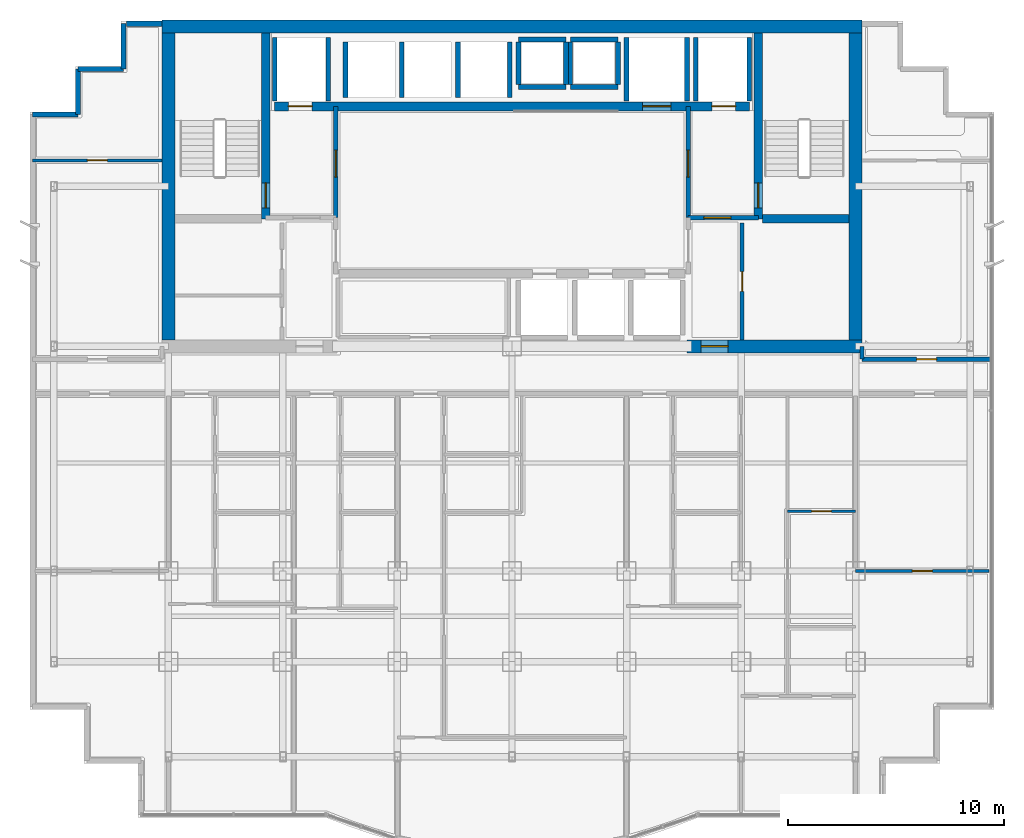
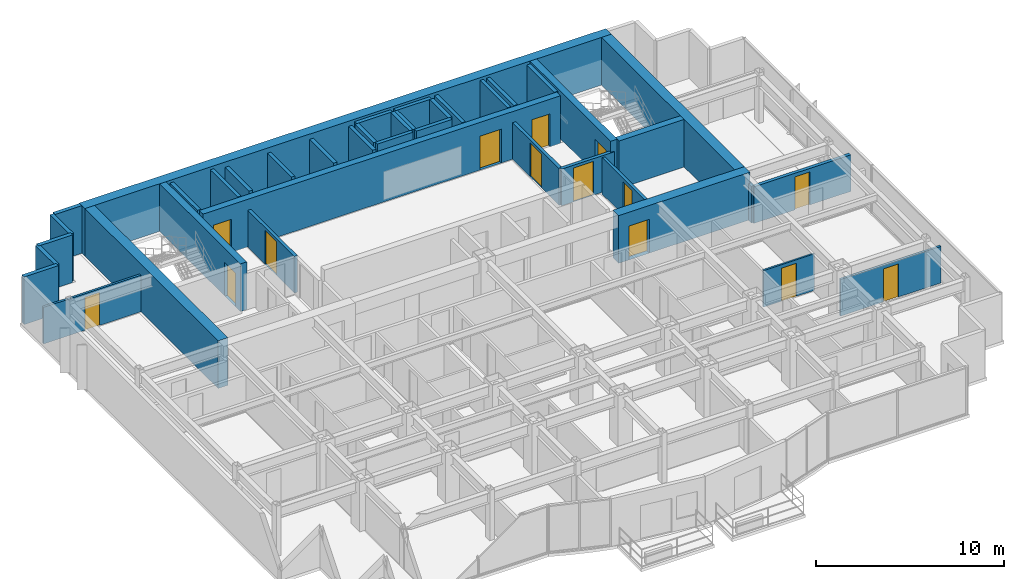
# One storey, part 10 of 13: 40 walls, 14 doors, 14 openings.
"""IFC4 building model written with IfcOpenShell, lengths in metres."""

from ifc_helpers import new_model, si_unit, direction, frame, frame_2d, origin, place, context, subcontext, project, spatial, rectangle, extrude, material, layer, layer_set, type_object, element, fill, save


model = new_model("IFC4")

# Units and contexts
model_context = context("Model", 3, precision=1e-05, world=origin(), true_north=direction((0.0, 1.0)))
body_context = subcontext(model_context, "Body", "Model", "MODEL_VIEW")
ifc_project = project(units=[si_unit("LENGTHUNIT", "METRE"), si_unit("AREAUNIT", "SQUARE_METRE"), si_unit("VOLUMEUNIT", "CUBIC_METRE"), si_unit("PLANEANGLEUNIT", "RADIAN"), si_unit("MASSUNIT", "GRAM", prefix="KILO")], contexts=[model_context])

# Site, building, storey
site_placement = place(None, origin())
site = spatial("IfcSite", under=ifc_project, at=site_placement, CompositionType="ELEMENT")
building_placement = place(site_placement, origin())
building = spatial("IfcBuilding", under=site, at=building_placement, Name="Qianlan Lanfeng Residences", CompositionType="ELEMENT")
storey_placement = place(building_placement, frame((0.0, 0.0, 142.5)))
storey = spatial("IfcBuildingStorey", under=building, at=storey_placement, Name="L38", CompositionType="ELEMENT", Elevation=142.5)

# Wall, opening, door
ifc_material_1 = material(Name="Concrete C56", Category="concrete")
ifc_layer_1 = layer(ifc_material_1, 0.39990234375)
ifc_layer_set_1 = layer_set([ifc_layer_1], Name="Concrete C56")
wall_type_1 = type_object("IfcWallType", Name="CW-RC-400", PredefinedType="SHEAR", material=ifc_layer_set_1)
wall_1_placement = place(storey_placement, frame((15.10009765625, 31.10009765625, 0.0), z_axis=(0.0, 0.0, 1.0), x_axis=(0.0, 1.0, 0.0)))
wall_1 = element("IfcWall", 1, at=wall_1_placement, inside=storey, type_object=wall_type_1, Name="L38 Core Shear Wall ST1E", PredefinedType="SHEAR", context=body_context, shape_type="SweptSolid", body=[
    extrude(rectangle(XDim=8.599853515625, YDim=0.39990234375, at=frame_2d((4.2998046875, 0.0))), origin(), (0.0, 0.0, 1.0), 3.10009765625),
])
opening_1_placement = place(wall_1_placement, frame((0.510009765625, 0.0, 0.0)))
opening_1 = element("IfcOpeningElement", 2, at=opening_1_placement, cuts=wall_1, Name="Opening L38-D07", PredefinedType="OPENING", context=body_context, shape_type="SweptSolid", body=[
    extrude(rectangle(XDim=1.14990234375, YDim=2.199951171875, at=frame_2d((0.574951171875, 1.10009765625))), frame((0.0, 0.2099609375, 0.0), z_axis=(0.0, -1.0, 0.0), x_axis=(1.0, 0.0, 0.0)), (0.0, 0.0, 1.0), 0.419921875),
])
ifc_material_2 = material(Name="Painted Galvanised Steel Fire Door", Category="steel")
door_type_1 = type_object("IfcDoorType", Name="DT-ST1", OperationType="NOTDEFINED", PredefinedType="DOOR", material=ifc_material_2)
door_1_placement = place(opening_1_placement, frame((1.14990234375, 0.0, 0.0), z_axis=(0.0, 0.0, 1.0), x_axis=(-1.0, 0.0, 0.0)))
door_1 = element("IfcDoor", 3, at=door_1_placement, inside=storey, type_object=door_type_1, Name="L38 Exit Stair ST-1 Door L38-D07 (DT-ST1)", OperationType="SINGLE_SWING_RIGHT", OverallHeight=2.199951171875, OverallWidth=1.14990234375, PredefinedType="DOOR", context=body_context, shape_type="SweptSolid", body=[
    extrude(rectangle(XDim=1.14990234375, YDim=2.199951171875, at=frame_2d((0.574951171875, 1.10009765625))), frame((0.0, 0.02490234375, 0.0), z_axis=(0.0, -1.0, 0.0), x_axis=(1.0, 0.0, 0.0)), (0.0, 0.0, 1.0), 0.050048828125),
])
fill(opening_1, door_1)

wall_2_placement = place(storey_placement, frame((37.89990234375, 31.10009765625, 0.0), z_axis=(0.0, 0.0, 1.0), x_axis=(0.0, 1.0, 0.0)))
wall_2 = element("IfcWall", 4, at=wall_2_placement, inside=storey, type_object=wall_type_1, Name="L38 Core Shear Wall ST2W", PredefinedType="SHEAR", context=body_context, shape_type="SweptSolid", body=[
    extrude(rectangle(XDim=8.599853515625, YDim=0.39990234375, at=frame_2d((4.2998046875, 0.0))), origin(), (0.0, 0.0, 1.0), 3.10009765625),
])
opening_2_placement = place(wall_2_placement, frame((0.510009765625, 0.0, 0.0)))
opening_2 = element("IfcOpeningElement", 5, at=opening_2_placement, cuts=wall_2, Name="Opening L38-D08", PredefinedType="OPENING", context=body_context, shape_type="SweptSolid", body=[
    extrude(rectangle(XDim=1.14990234375, YDim=2.199951171875, at=frame_2d((0.574951171875, 1.10009765625))), frame((0.0, 0.2099609375, 0.0), z_axis=(0.0, -1.0, 0.0), x_axis=(1.0, 0.0, 0.0)), (0.0, 0.0, 1.0), 0.419921875),
])
door_2_placement = place(opening_2_placement, origin())
door_2 = element("IfcDoor", 6, at=door_2_placement, inside=storey, type_object=door_type_1, Name="L38 Exit Stair ST-2 Door L38-D08 (DT-ST1)", OperationType="SINGLE_SWING_RIGHT", OverallHeight=2.199951171875, OverallWidth=1.14990234375, PredefinedType="DOOR", context=body_context, shape_type="SweptSolid", body=[
    extrude(rectangle(XDim=1.14990234375, YDim=2.199951171875, at=frame_2d((0.574951171875, 1.10009765625))), frame((0.0, 0.02490234375, 0.0), z_axis=(0.0, -1.0, 0.0), x_axis=(1.0, 0.0, 0.0)), (0.0, 0.0, 1.0), 0.050048828125),
])
fill(opening_2, door_2)

# Wall
wall_3_placement = place(storey_placement, frame((38.10009765625, 31.10009765625, 0.0), z_axis=(0.0, 0.0, 1.0), x_axis=(1.0, 0.0, 0.0)))
element("IfcWall", 7, at=wall_3_placement, inside=storey, type_object=wall_type_1, Name="L38 Core Shear Wall ST2S", PredefinedType="SHEAR", context=body_context, shape_type="SweptSolid", body=[
    extrude(rectangle(XDim=4.0, YDim=0.39990234375, at=frame_2d((2.0, 0.0))), origin(), (0.0, 0.0, 1.0), 3.10009765625),
])

# Wall, openings, doors
wall_4_placement = place(storey_placement, frame((15.5, 36.300048828125, 0.0), z_axis=(0.0, 0.0, 1.0), x_axis=(1.0, 0.0, 0.0)))
wall_4 = element("IfcWall", 8, at=wall_4_placement, inside=storey, type_object=wall_type_1, Name="L38 Core Shear Wall LBN", PredefinedType="SHEAR", context=body_context, shape_type="SweptSolid", body=[
    extrude(rectangle(XDim=22.0, YDim=0.39990234375, at=frame_2d((11.0, 0.0))), origin(), (0.0, 0.0, 1.0), 3.10009765625),
])
opening_3_placement = place(wall_4_placement, frame((0.64990234375, 0.0, 0.0)))
opening_3 = element("IfcOpeningElement", 9, at=opening_3_placement, cuts=wall_4, Name="Opening L38-LD-FFL-1", PredefinedType="OPENING", context=body_context, shape_type="SweptSolid", body=[
    extrude(rectangle(XDim=1.10009765625, YDim=2.14990234375, at=frame_2d((0.550048828125, 1.074951171875))), frame((0.0, 0.2099609375, 0.0), z_axis=(0.0, -1.0, 0.0), x_axis=(1.0, 0.0, 0.0)), (0.0, 0.0, 1.0), 0.419921875),
])
opening_4_placement = place(wall_4_placement, frame((20.25, 0.0, 0.0)))
opening_4 = element("IfcOpeningElement", 10, at=opening_4_placement, cuts=wall_4, Name="Opening L38-LD-FFL-2", PredefinedType="OPENING", context=body_context, shape_type="SweptSolid", body=[
    extrude(rectangle(XDim=1.10009765625, YDim=2.14990234375, at=frame_2d((0.550048828125, 1.074951171875))), frame((0.0, 0.2099609375, 0.0), z_axis=(0.0, -1.0, 0.0), x_axis=(1.0, 0.0, 0.0)), (0.0, 0.0, 1.0), 0.419921875),
])
opening_5_placement = place(wall_4_placement, frame((17.050048828125, 0.0, 0.0)))
opening_5 = element("IfcOpeningElement", 11, at=opening_5_placement, cuts=wall_4, Name="Opening L38-LD-SVL-1", PredefinedType="OPENING", context=body_context, shape_type="SweptSolid", body=[
    extrude(rectangle(XDim=1.300048828125, YDim=2.199951171875, at=frame_2d((0.64990234375, 1.10009765625))), frame((0.0, 0.2099609375, 0.0), z_axis=(0.0, -1.0, 0.0), x_axis=(1.0, 0.0, 0.0)), (0.0, 0.0, 1.0), 0.419921875),
])
ifc_material_3 = material(Name="Brushed Stainless Steel Sliding Lift Door", Category="steel")
door_type_2 = type_object("IfcDoorType", Name="LD-01", OperationType="NOTDEFINED", PredefinedType="DOOR", material=ifc_material_3)
door_3_placement = place(opening_3_placement, frame((1.10009765625, 0.0, 0.0), z_axis=(0.0, 0.0, 1.0), x_axis=(-1.0, 0.0, 0.0)))
door_3 = element("IfcDoor", 12, at=door_3_placement, inside=storey, type_object=door_type_2, Name="L38 Elevator FFL-1 Sliding Landing Door", OperationType="DOUBLE_DOOR_SLIDING", OverallHeight=2.14990234375, OverallWidth=1.10009765625, PredefinedType="DOOR", context=body_context, shape_type="SweptSolid", body=[
    extrude(rectangle(XDim=1.10009765625, YDim=2.14990234375, at=frame_2d((0.550048828125, 1.074951171875))), frame((0.0, 0.02490234375, 0.0), z_axis=(0.0, -1.0, 0.0), x_axis=(1.0, 0.0, 0.0)), (0.0, 0.0, 1.0), 0.050048828125),
])
fill(opening_3, door_3)
door_4_placement = place(opening_4_placement, frame((1.10009765625, 0.0, 0.0), z_axis=(0.0, 0.0, 1.0), x_axis=(-1.0, 0.0, 0.0)))
door_4 = element("IfcDoor", 13, at=door_4_placement, inside=storey, type_object=door_type_2, Name="L38 Elevator FFL-2 Sliding Landing Door", OperationType="DOUBLE_DOOR_SLIDING", OverallHeight=2.14990234375, OverallWidth=1.10009765625, PredefinedType="DOOR", context=body_context, shape_type="SweptSolid", body=[
    extrude(rectangle(XDim=1.10009765625, YDim=2.14990234375, at=frame_2d((0.550048828125, 1.074951171875))), frame((0.0, 0.02490234375, 0.0), z_axis=(0.0, -1.0, 0.0), x_axis=(1.0, 0.0, 0.0)), (0.0, 0.0, 1.0), 0.050048828125),
])
fill(opening_4, door_4)
door_type_3 = type_object("IfcDoorType", Name="LD-02", OperationType="NOTDEFINED", PredefinedType="DOOR", material=ifc_material_3)
door_5_placement = place(opening_5_placement, frame((1.300048828125, 0.0, 0.0), z_axis=(0.0, 0.0, 1.0), x_axis=(-1.0, 0.0, 0.0)))
door_5 = element("IfcDoor", 14, at=door_5_placement, inside=storey, type_object=door_type_3, Name="L38 Elevator SVL-1 Sliding Landing Door", OperationType="DOUBLE_DOOR_SLIDING", OverallHeight=2.199951171875, OverallWidth=1.300048828125, PredefinedType="DOOR", context=body_context, shape_type="SweptSolid", body=[
    extrude(rectangle(XDim=1.300048828125, YDim=2.199951171875, at=frame_2d((0.64990234375, 1.10009765625))), frame((0.0, 0.02490234375, 0.0), z_axis=(0.0, -1.0, 0.0), x_axis=(1.0, 0.0, 0.0)), (0.0, 0.0, 1.0), 0.050048828125),
])
fill(opening_5, door_5)

# Walls
ifc_layer_2 = layer(ifc_material_1, 0.60009765625)
ifc_layer_set_2 = layer_set([ifc_layer_2], Name="Concrete C56")
wall_type_2 = type_object("IfcWallType", Name="CW-RC-600", PredefinedType="SHEAR", material=ifc_layer_set_2)
wall_5_placement = place(storey_placement, frame((10.300048828125, 40.0, 0.0), z_axis=(0.0, 0.0, 1.0), x_axis=(1.0, 0.0, 0.0)))
element("IfcWall", 15, at=wall_5_placement, inside=storey, type_object=wall_type_2, Name="L38 Core Shear Wall N", PredefinedType="SHEAR", context=body_context, shape_type="SweptSolid", body=[
    extrude(rectangle(XDim=32.39990234375, YDim=0.60009765625, at=frame_2d((16.199951171875, 0.0))), origin(), (0.0, 0.0, 1.0), 3.10009765625),
])
for number, where, z_axis, x_axis, name in (
    (16, (10.60009765625, 25.5, 0.0), (0.0, 0.0, 1.0), (0.0, 1.0, 0.0), "L38 Core Shear Wall W"),
    (17, (42.39990234375, 25.5, 0.0), (0.0, 0.0, 1.0), (0.0, 1.0, 0.0), "L38 Core Shear Wall E"),
):
    element("IfcWall", number, at=place(storey_placement, frame(where, z_axis=z_axis, x_axis=x_axis)), inside=storey, type_object=wall_type_2, Name=name, PredefinedType="SHEAR", context=body_context, shape_type="SweptSolid", body=[
        extrude(rectangle(XDim=14.199951171875, YDim=0.60009765625, at=frame_2d((7.10009765625, 0.0))), origin(), (0.0, 0.0, 1.0), 3.10009765625),
    ])

# Wall, opening, door
wall_6_placement = place(storey_placement, frame((34.60009765625, 25.199951171875, 0.0), z_axis=(0.0, 0.0, 1.0), x_axis=(1.0, 0.0, 0.0)))
wall_6 = element("IfcWall", 18, at=wall_6_placement, inside=storey, type_object=wall_type_2, Name="L38 Core Shear Wall SE", PredefinedType="SHEAR", context=body_context, shape_type="SweptSolid", body=[
    extrude(rectangle(XDim=8.099853515625, YDim=0.60009765625, at=frame_2d((4.0498046875, 0.0))), origin(), (0.0, 0.0, 1.0), 3.10009765625),
])
opening_6_placement = place(wall_6_placement, frame((0.64990234375, 0.0, 0.0)))
opening_6 = element("IfcOpeningElement", 19, at=opening_6_placement, cuts=wall_6, Name="Opening L38-D02", PredefinedType="OPENING", context=body_context, shape_type="SweptSolid", body=[
    extrude(rectangle(XDim=1.25, YDim=2.199951171875, at=frame_2d((0.625, 1.10009765625))), frame((0.0, 0.31005859375, 0.0), z_axis=(0.0, -1.0, 0.0), x_axis=(1.0, 0.0, 0.0)), (0.0, 0.0, 1.0), 0.6201171875),
])
door_type_4 = type_object("IfcDoorType", Name="DT-FFL", OperationType="NOTDEFINED", PredefinedType="DOOR", material=ifc_material_2)
door_6_placement = place(opening_6_placement, frame((1.25, 0.0, 0.0), z_axis=(0.0, 0.0, 1.0), x_axis=(-1.0, 0.0, 0.0)))
door_6 = element("IfcDoor", 20, at=door_6_placement, inside=storey, type_object=door_type_4, Name="L38 East Core Lobby Smoke Door L38-D02 (DT-FFL)", OperationType="SINGLE_SWING_LEFT", OverallHeight=2.199951171875, OverallWidth=1.25, PredefinedType="DOOR", context=body_context, shape_type="SweptSolid", body=[
    extrude(rectangle(XDim=1.25, YDim=2.199951171875, at=frame_2d((0.625, 1.10009765625))), frame((0.0, 0.02490234375, 0.0), z_axis=(0.0, -1.0, 0.0), x_axis=(1.0, 0.0, 0.0)), (0.0, 0.0, 1.0), 0.050048828125),
])
fill(opening_6, door_6)

# Walls
ifc_material_4 = material(Name="Concrete C42", Category="concrete")
ifc_layer_3 = layer(ifc_material_4, 0.239990234375)
ifc_layer_set_3 = layer_set([ifc_layer_3], Name="Concrete C42")
wall_type_3 = type_object("IfcWallType", Name="EW-240", PredefinedType="SOLIDWALL", material=ifc_layer_set_3)
wall_7_placement = place(storey_placement, frame((10.300048828125, 40.1298828125, 0.0), z_axis=(0.0, 0.0, 1.0), x_axis=(-1.0, 0.0, 0.0)))
element("IfcWall", 21, at=wall_7_placement, inside=storey, type_object=wall_type_3, Name="L38 North Wing Exterior Wall W", PredefinedType="SOLIDWALL", context=body_context, shape_type="SweptSolid", body=[
    extrude(rectangle(XDim=1.650146484375, YDim=0.239990234375, at=frame_2d((0.8251953125, 0.0))), origin(), (0.0, 0.0, 1.0), 3.10009765625),
])
wall_8_placement = place(storey_placement, frame((8.52001953125, 40.1298828125, 0.0), z_axis=(0.0, 0.0, 1.0), x_axis=(0.0, -1.0, 0.0)))
element("IfcWall", 22, at=wall_8_placement, inside=storey, type_object=wall_type_3, Name="L38 Exterior Facade Spandrel Wall 17", PredefinedType="SOLIDWALL", context=body_context, shape_type="SweptSolid", body=[
    extrude(rectangle(XDim=2.099853515625, YDim=0.239990234375, at=frame_2d((1.0498046875, 0.0))), origin(), (0.0, 0.0, 1.0), 3.10009765625),
])
for number, where, z_axis, x_axis, name in (
    (23, (8.52001953125, 38.030029296875, 0.0), (0.0, 0.0, 1.0), (-1.0, 0.0, 0.0), "L38 Exterior Facade Spandrel Wall 18"),
    (24, (6.419921875, 38.030029296875, 0.0), (0.0, 0.0, 1.0), (0.0, -1.0, 0.0), "L38 Exterior Facade Spandrel Wall 19"),
):
    element("IfcWall", number, at=place(storey_placement, frame(where, z_axis=z_axis, x_axis=x_axis)), inside=storey, type_object=wall_type_3, Name=name, PredefinedType="SOLIDWALL", context=body_context, shape_type="SweptSolid", body=[
        extrude(rectangle(XDim=2.10009765625, YDim=0.239990234375, at=frame_2d((1.050048828125, 0.0))), origin(), (0.0, 0.0, 1.0), 3.10009765625),
    ])
wall_9_placement = place(storey_placement, frame((6.419921875, 35.929931640625, 0.0), z_axis=(0.0, 0.0, 1.0), x_axis=(-1.0, 0.0, 0.0)))
element("IfcWall", 25, at=wall_9_placement, inside=storey, type_object=wall_type_3, Name="L38 Exterior Facade Spandrel Wall 20", PredefinedType="SOLIDWALL", context=body_context, shape_type="SweptSolid", body=[
    extrude(rectangle(XDim=2.099853515625, YDim=0.239990234375, at=frame_2d((1.0498046875, 0.0))), origin(), (0.0, 0.0, 1.0), 3.10009765625),
])

# Wall, opening, door
ifc_material_5 = material(Name="Demountable Acoustic Framing Partition 110 mm")
ifc_layer_4 = layer(ifc_material_5, 0.110107421875)
ifc_layer_set_4 = layer_set([ifc_layer_4], Name="Demountable Acoustic Framing Partition 110 mm")
wall_type_4 = type_object("IfcWallType", Name="PW-110", PredefinedType="MOVABLE", material=ifc_layer_set_4)
wall_10_placement = place(storey_placement, frame((39.25, 17.56005859375, 0.0), z_axis=(0.0, 0.0, 1.0), x_axis=(1.0, 0.0, 0.0)))
wall_10 = element("IfcWall", 26, at=wall_10_placement, inside=storey, type_object=wall_type_4, Name="L38 U04 Wardrobe Split", PredefinedType="MOVABLE", context=body_context, shape_type="SweptSolid", body=[
    extrude(rectangle(XDim=3.14990234375, YDim=0.110107421875, at=frame_2d((1.574951171875, 0.0))), origin(), (0.0, 0.0, 1.0), 2.3798828125),
])
opening_7_placement = place(wall_10_placement, frame((1.114990234375, 0.0, 0.0)))
opening_7 = element("IfcOpeningElement", 27, at=opening_7_placement, cuts=wall_10, Name="Opening L38-D39", PredefinedType="OPENING", context=body_context, shape_type="SweptSolid", body=[
    extrude(rectangle(XDim=0.919921875, YDim=2.14990234375, at=frame_2d((0.4599609375, 1.074951171875))), frame((0.0, 0.06494140625, 0.0), z_axis=(0.0, -1.0, 0.0), x_axis=(1.0, 0.0, 0.0)), (0.0, 0.0, 1.0), 0.130126953125),
])
ifc_material_6 = material(Name="Glazed Timber Kitchen/Study Door", Category="wood")
door_type_5 = type_object("IfcDoorType", Name="DT-INT", OperationType="NOTDEFINED", PredefinedType="DOOR", material=ifc_material_6)
door_7_placement = place(opening_7_placement, origin())
door_7 = element("IfcDoor", 28, at=door_7_placement, inside=storey, type_object=door_type_5, Name="L38 U04 Dressing Inner Door L38-D39 (DT-INT)", OperationType="SINGLE_SWING_RIGHT", OverallHeight=2.14990234375, OverallWidth=0.919921875, PredefinedType="DOOR", context=body_context, shape_type="SweptSolid", body=[
    extrude(rectangle(XDim=0.919921875, YDim=2.14990234375, at=frame_2d((0.4599609375, 1.074951171875))), frame((0.0, 0.02490234375, 0.0), z_axis=(0.0, -1.0, 0.0), x_axis=(1.0, 0.0, 0.0)), (0.0, 0.0, 1.0), 0.050048828125),
])
fill(opening_7, door_7)

ifc_material_7 = material(Name="Moisture-Resistant Gypsum Partition 135 mm")
ifc_layer_5 = layer(ifc_material_7, 0.135009765625)
ifc_layer_set_5 = layer_set([ifc_layer_5], Name="Moisture-Resistant Gypsum Partition 135 mm")
wall_type_5 = type_object("IfcWallType", Name="PW-135", PredefinedType="PARTITIONING", material=ifc_layer_set_5)
wall_11_placement = place(storey_placement, frame((42.39990234375, 14.800048828125, 0.0), z_axis=(0.0, 0.0, 1.0), x_axis=(1.0, 0.0, 0.0)))
wall_11 = element("IfcWall", 29, at=wall_11_placement, inside=storey, type_object=wall_type_5, Name="L38 SEP Mid Partition", PredefinedType="PARTITIONING", context=body_context, shape_type="SweptSolid", body=[
    extrude(rectangle(XDim=6.18017578125, YDim=0.135009765625, at=frame_2d((3.090087890625, 0.0))), origin(), (0.0, 0.0, 1.0), 2.3798828125),
])
opening_8_placement = place(wall_11_placement, frame((2.6298828125, 0.0, 0.0)))
opening_8 = element("IfcOpeningElement", 30, at=opening_8_placement, cuts=wall_11, Name="Opening L38-D42", PredefinedType="OPENING", context=body_context, shape_type="SweptSolid", body=[
    extrude(rectangle(XDim=0.919921875, YDim=2.14990234375, at=frame_2d((0.4599609375, 1.074951171875))), frame((0.0, 0.07763671875, 0.0), z_axis=(0.0, -1.0, 0.0), x_axis=(1.0, 0.0, 0.0)), (0.0, 0.0, 1.0), 0.155029296875),
])
door_8_placement = place(opening_8_placement, origin())
door_8 = element("IfcDoor", 31, at=door_8_placement, inside=storey, type_object=door_type_5, Name="L38 SEP Inner Door L38-D42 (DT-INT)", OperationType="SINGLE_SWING_LEFT", OverallHeight=2.14990234375, OverallWidth=0.919921875, PredefinedType="DOOR", context=body_context, shape_type="SweptSolid", body=[
    extrude(rectangle(XDim=0.919921875, YDim=2.14990234375, at=frame_2d((0.4599609375, 1.074951171875))), frame((0.0, 0.02490234375, 0.0), z_axis=(0.0, -1.0, 0.0), x_axis=(1.0, 0.0, 0.0)), (0.0, 0.0, 1.0), 0.050048828125),
])
fill(opening_8, door_8)

wall_12_placement = place(storey_placement, frame((4.320068359375, 33.800048828125, 0.0), z_axis=(0.0, 0.0, 1.0), x_axis=(1.0, 0.0, 0.0)))
wall_12 = element("IfcWall", 32, at=wall_12_placement, inside=storey, type_object=wall_type_5, Name="L38 WW North Wing Wall", PredefinedType="PARTITIONING", context=body_context, shape_type="SweptSolid", body=[
    extrude(rectangle(XDim=5.97998046875, YDim=0.135009765625, at=frame_2d((2.989990234375, 0.0))), origin(), (0.0, 0.0, 1.0), 2.3798828125),
])
opening_9_placement = place(wall_12_placement, frame((2.530029296875, 0.0, 0.0)))
opening_9 = element("IfcOpeningElement", 33, at=opening_9_placement, cuts=wall_12, Name="Opening L38-D44", PredefinedType="OPENING", context=body_context, shape_type="SweptSolid", body=[
    extrude(rectangle(XDim=0.919921875, YDim=2.14990234375, at=frame_2d((0.4599609375, 1.074951171875))), frame((0.0, 0.07763671875, 0.0), z_axis=(0.0, -1.0, 0.0), x_axis=(1.0, 0.0, 0.0)), (0.0, 0.0, 1.0), 0.155029296875),
])
door_9_placement = place(opening_9_placement, origin())
door_9 = element("IfcDoor", 34, at=door_9_placement, inside=storey, type_object=door_type_5, Name="L38 WW Inner Salon Door L38-D44 (DT-INT)", OperationType="SINGLE_SWING_LEFT", OverallHeight=2.14990234375, OverallWidth=0.919921875, PredefinedType="DOOR", context=body_context, shape_type="SweptSolid", body=[
    extrude(rectangle(XDim=0.919921875, YDim=2.14990234375, at=frame_2d((0.4599609375, 1.074951171875))), frame((0.0, 0.02490234375, 0.0), z_axis=(0.0, -1.0, 0.0), x_axis=(1.0, 0.0, 0.0)), (0.0, 0.0, 1.0), 0.050048828125),
])
fill(opening_9, door_9)

ifc_material_8 = material(Name="Double-Layer Acoustic Gypsum Stud Wall 180 mm")
ifc_layer_6 = layer(ifc_material_8, 0.179931640625)
ifc_layer_set_6 = layer_set([ifc_layer_6], Name="Double-Layer Acoustic Gypsum Stud Wall 180 mm")
wall_type_6 = type_object("IfcWallType", Name="PW-180", PredefinedType="PARTITIONING", material=ifc_layer_set_6)
wall_13_placement = place(storey_placement, frame((37.14990234375, 25.5, 0.0), z_axis=(0.0, 0.0, 1.0), x_axis=(0.0, 1.0, 0.0)))
wall_13 = element("IfcWall", 35, at=wall_13_placement, inside=storey, type_object=wall_type_6, Name="L38 Core East Service Room Wall", PredefinedType="PARTITIONING", context=body_context, shape_type="SweptSolid", body=[
    extrude(rectangle(XDim=5.39990234375, YDim=0.179931640625, at=frame_2d((2.699951171875, 0.0))), origin(), (0.0, 0.0, 1.0), 2.3798828125),
])
opening_10_placement = place(wall_13_placement, frame((2.239990234375, 0.0, 0.0)))
opening_10 = element("IfcOpeningElement", 36, at=opening_10_placement, cuts=wall_13, Name="Opening L38-D11", PredefinedType="OPENING", context=body_context, shape_type="SweptSolid", body=[
    extrude(rectangle(XDim=0.919921875, YDim=2.14990234375, at=frame_2d((0.4599609375, 1.074951171875))), frame((0.0, 0.10009765625, 0.0), z_axis=(0.0, -1.0, 0.0), x_axis=(1.0, 0.0, 0.0)), (0.0, 0.0, 1.0), 0.199951171875),
])
door_10_placement = place(opening_10_placement, origin())
door_10 = element("IfcDoor", 37, at=door_10_placement, inside=storey, type_object=door_type_5, Name="L38 Mail Parcel Closet Door L38-D11 (DT-INT)", OperationType="SINGLE_SWING_RIGHT", OverallHeight=2.14990234375, OverallWidth=0.919921875, PredefinedType="DOOR", context=body_context, shape_type="SweptSolid", body=[
    extrude(rectangle(XDim=0.919921875, YDim=2.14990234375, at=frame_2d((0.4599609375, 1.074951171875))), frame((0.0, 0.02490234375, 0.0), z_axis=(0.0, -1.0, 0.0), x_axis=(1.0, 0.0, 0.0)), (0.0, 0.0, 1.0), 0.050048828125),
])
fill(opening_10, door_10)

ifc_material_9 = material(Name="Autoclaved Aerated Concrete Blockwork 200 mm", Category="masonry")
ifc_layer_7 = layer(ifc_material_9, 0.199951171875)
ifc_layer_set_7 = layer_set([ifc_layer_7], Name="Autoclaved Aerated Concrete Blockwork 200 mm")
wall_type_7 = type_object("IfcWallType", Name="PW-200", PredefinedType="PARTITIONING", material=ifc_layer_set_7)
wall_14_placement = place(storey_placement, frame((18.35009765625, 31.14990234375, 0.0), z_axis=(0.0, 0.0, 1.0), x_axis=(0.0, 1.0, 0.0)))
wall_14 = element("IfcWall", 38, at=wall_14_placement, inside=storey, type_object=wall_type_7, Name="L38 Firefighting Lobby 1 East Wall", PredefinedType="PARTITIONING", context=body_context, shape_type="SweptSolid", body=[
    extrude(rectangle(XDim=5.150146484375, YDim=0.199951171875, at=frame_2d((2.5751953125, 0.0))), origin(), (0.0, 0.0, 1.0), 2.3798828125),
])
opening_11_placement = place(wall_14_placement, frame((1.875, 0.0, 0.0)))
opening_11 = element("IfcOpeningElement", 39, at=opening_11_placement, cuts=wall_14, Name="Opening L38-D04", PredefinedType="OPENING", context=body_context, shape_type="SweptSolid", body=[
    extrude(rectangle(XDim=1.25, YDim=2.199951171875, at=frame_2d((0.625, 1.10009765625))), frame((0.0, 0.10986328125, 0.0), z_axis=(0.0, -1.0, 0.0), x_axis=(1.0, 0.0, 0.0)), (0.0, 0.0, 1.0), 0.219970703125),
])
door_11_placement = place(opening_11_placement, origin())
door_11 = element("IfcDoor", 40, at=door_11_placement, inside=storey, type_object=door_type_4, Name="L38 Firefighting Lobby 1 Lift Lobby Door L38-D04 (DT-FFL)", OperationType="SINGLE_SWING_LEFT", OverallHeight=2.199951171875, OverallWidth=1.25, PredefinedType="DOOR", context=body_context, shape_type="SweptSolid", body=[
    extrude(rectangle(XDim=1.25, YDim=2.199951171875, at=frame_2d((0.625, 1.10009765625))), frame((0.0, 0.02490234375, 0.0), z_axis=(0.0, -1.0, 0.0), x_axis=(1.0, 0.0, 0.0)), (0.0, 0.0, 1.0), 0.050048828125),
])
fill(opening_11, door_11)

wall_15_placement = place(storey_placement, frame((34.64990234375, 31.14990234375, 0.0), z_axis=(0.0, 0.0, 1.0), x_axis=(1.0, 0.0, 0.0)))
wall_15 = element("IfcWall", 41, at=wall_15_placement, inside=storey, type_object=wall_type_7, Name="L38 Firefighting Lobby 2 South Wall", PredefinedType="PARTITIONING", context=body_context, shape_type="SweptSolid", body=[
    extrude(rectangle(XDim=3.25, YDim=0.199951171875, at=frame_2d((1.625, 0.0))), origin(), (0.0, 0.0, 1.0), 2.3798828125),
])
opening_12_placement = place(wall_15_placement, frame((0.72509765625, 0.0, 0.0)))
opening_12 = element("IfcOpeningElement", 42, at=opening_12_placement, cuts=wall_15, Name="Opening L38-D05", PredefinedType="OPENING", context=body_context, shape_type="SweptSolid", body=[
    extrude(rectangle(XDim=1.25, YDim=2.199951171875, at=frame_2d((0.625, 1.10009765625))), frame((0.0, 0.10986328125, 0.0), z_axis=(0.0, -1.0, 0.0), x_axis=(1.0, 0.0, 0.0)), (0.0, 0.0, 1.0), 0.219970703125),
])
door_12_placement = place(opening_12_placement, origin())
door_12 = element("IfcDoor", 43, at=door_12_placement, inside=storey, type_object=door_type_4, Name="L38 Firefighting Lobby 2 Entry Door L38-D05 (DT-FFL)", OperationType="SINGLE_SWING_RIGHT", OverallHeight=2.199951171875, OverallWidth=1.25, PredefinedType="DOOR", context=body_context, shape_type="SweptSolid", body=[
    extrude(rectangle(XDim=1.25, YDim=2.199951171875, at=frame_2d((0.625, 1.10009765625))), frame((0.0, 0.02490234375, 0.0), z_axis=(0.0, -1.0, 0.0), x_axis=(1.0, 0.0, 0.0)), (0.0, 0.0, 1.0), 0.050048828125),
])
fill(opening_12, door_12)

wall_16_placement = place(storey_placement, frame((34.64990234375, 31.14990234375, 0.0), z_axis=(0.0, 0.0, 1.0), x_axis=(0.0, 1.0, 0.0)))
wall_16 = element("IfcWall", 44, at=wall_16_placement, inside=storey, type_object=wall_type_7, Name="L38 Firefighting Lobby 2 West Wall", PredefinedType="PARTITIONING", context=body_context, shape_type="SweptSolid", body=[
    extrude(rectangle(XDim=5.150146484375, YDim=0.199951171875, at=frame_2d((2.5751953125, 0.0))), origin(), (0.0, 0.0, 1.0), 2.3798828125),
])
opening_13_placement = place(wall_16_placement, frame((1.875, 0.0, 0.0)))
opening_13 = element("IfcOpeningElement", 45, at=opening_13_placement, cuts=wall_16, Name="Opening L38-D06", PredefinedType="OPENING", context=body_context, shape_type="SweptSolid", body=[
    extrude(rectangle(XDim=1.25, YDim=2.199951171875, at=frame_2d((0.625, 1.10009765625))), frame((0.0, 0.10986328125, 0.0), z_axis=(0.0, -1.0, 0.0), x_axis=(1.0, 0.0, 0.0)), (0.0, 0.0, 1.0), 0.219970703125),
])
door_13_placement = place(opening_13_placement, origin())
door_13 = element("IfcDoor", 46, at=door_13_placement, inside=storey, type_object=door_type_4, Name="L38 Firefighting Lobby 2 Lift Lobby Door L38-D06 (DT-FFL)", OperationType="SINGLE_SWING_LEFT", OverallHeight=2.199951171875, OverallWidth=1.25, PredefinedType="DOOR", context=body_context, shape_type="SweptSolid", body=[
    extrude(rectangle(XDim=1.25, YDim=2.199951171875, at=frame_2d((0.625, 1.10009765625))), frame((0.0, 0.02490234375, 0.0), z_axis=(0.0, -1.0, 0.0), x_axis=(1.0, 0.0, 0.0)), (0.0, 0.0, 1.0), 0.050048828125),
])
fill(opening_13, door_13)

wall_17_placement = place(storey_placement, frame((42.699951171875, 24.60009765625, 0.0), z_axis=(0.0, 0.0, 1.0), x_axis=(1.0, 0.0, 0.0)))
wall_17 = element("IfcWall", 47, at=wall_17_placement, inside=storey, type_object=wall_type_7, Name="L38 Corridor NE Wall", PredefinedType="PARTITIONING", context=body_context, shape_type="SweptSolid", body=[
    extrude(rectangle(XDim=5.97998046875, YDim=0.199951171875, at=frame_2d((2.989990234375, 0.0))), origin(), (0.0, 0.0, 1.0), 2.3798828125),
])
opening_14_placement = place(wall_17_placement, frame((2.530029296875, 0.0, 0.0)))
opening_14 = element("IfcOpeningElement", 48, at=opening_14_placement, cuts=wall_17, Name="Opening L38-D47", PredefinedType="OPENING", context=body_context, shape_type="SweptSolid", body=[
    extrude(rectangle(XDim=0.919921875, YDim=2.14990234375, at=frame_2d((0.4599609375, 1.074951171875))), frame((0.0, 0.10986328125, 0.0), z_axis=(0.0, -1.0, 0.0), x_axis=(1.0, 0.0, 0.0)), (0.0, 0.0, 1.0), 0.219970703125),
])
door_14_placement = place(opening_14_placement, origin())
door_14 = element("IfcDoor", 49, at=door_14_placement, inside=storey, type_object=door_type_5, Name="L38 EW Amenity Salon Door L38-D47 (DT-INT)", OperationType="SINGLE_SWING_RIGHT", OverallHeight=2.14990234375, OverallWidth=0.919921875, PredefinedType="DOOR", context=body_context, shape_type="SweptSolid", body=[
    extrude(rectangle(XDim=0.919921875, YDim=2.14990234375, at=frame_2d((0.4599609375, 1.074951171875))), frame((0.0, 0.02490234375, 0.0), z_axis=(0.0, -1.0, 0.0), x_axis=(1.0, 0.0, 0.0)), (0.0, 0.0, 1.0), 0.050048828125),
])
fill(opening_14, door_14)

# Walls
wall_18_placement = place(storey_placement, frame((42.699951171875, 24.60009765625, 0.0), z_axis=(0.0, 0.0, 1.0), x_axis=(0.0, 1.0, 0.0)))
element("IfcWall", 50, at=wall_18_placement, inside=storey, type_object=wall_type_7, Name="L38 NE Wing Core Return Wall", PredefinedType="PARTITIONING", context=body_context, shape_type="SweptSolid", body=[
    extrude(rectangle(XDim=0.599853515625, YDim=0.199951171875, at=frame_2d((0.2998046875, 0.0))), origin(), (0.0, 0.0, 1.0), 2.3798828125),
])
ifc_material_10 = material(Name="Concrete C49", Category="concrete")
ifc_layer_8 = layer(ifc_material_10, 0.219970703125)
ifc_layer_set_8 = layer_set([ifc_layer_8], Name="Concrete C49")
wall_type_8 = type_object("IfcWallType", Name="SHW-220", PredefinedType="SOLIDWALL", material=ifc_layer_set_8)
for number, where, z_axis, x_axis, name in (
    (51, (15.52001953125, 36.550048828125, 0.0), (0.0, 0.0, 1.0), (0.0, 1.0, 0.0), "L38 Lift FFL-1 Shaft Wall W"),
    (52, (18.0, 36.550048828125, 0.0), (0.0, 0.0, 1.0), (0.0, 1.0, 0.0), "L38 Lift FFL-1 Shaft Wall E"),
    (53, (35.0, 36.550048828125, 0.0), (0.0, 0.0, 1.0), (0.0, 1.0, 0.0), "L38 Lift FFL-2 Shaft Wall W"),
    (54, (37.47998046875, 36.550048828125, 0.0), (0.0, 0.0, 1.0), (0.0, 1.0, 0.0), "L38 Lift FFL-2 Shaft Wall E"),
    (55, (31.800048828125, 36.550048828125, 0.0), (0.0, 0.0, 1.0), (0.0, 1.0, 0.0), "L38 Lift SVL-1 Shaft Wall W"),
    (56, (34.60009765625, 36.550048828125, 0.0), (0.0, 0.0, 1.0), (0.0, 1.0, 0.0), "L38 Lift SVL-1 Shaft Wall E"),
):
    element("IfcWall", number, at=place(storey_placement, frame(where, z_axis=z_axis, x_axis=x_axis)), inside=storey, type_object=wall_type_8, Name=name, PredefinedType="SOLIDWALL", context=body_context, shape_type="SweptSolid", body=[
        extrude(rectangle(XDim=2.929931640625, YDim=0.219970703125, at=frame_2d((1.46484375, 0.0))), origin(), (0.0, 0.0, 1.0), 3.10009765625),
    ])
for number, where, z_axis, x_axis, name in (
    (57, (18.800048828125, 36.719970703125, 0.0), (0.0, 0.0, 1.0), (0.0, 1.0, 0.0), "L38 Lift PL-H1 Shaft Wall W"),
    (58, (21.39990234375, 36.719970703125, 0.0), (0.0, 0.0, 1.0), (0.0, 1.0, 0.0), "L38 Lift PL-H2 Shaft Wall W"),
    (59, (24.0, 36.719970703125, 0.0), (0.0, 0.0, 1.0), (0.0, 1.0, 0.0), "L38 Lift PL-H3 Shaft Wall W"),
    (60, (26.39990234375, 36.719970703125, 0.0), (0.0, 0.0, 1.0), (0.0, 1.0, 0.0), "L38 Lift PL-H3 Shaft Wall E"),
):
    element("IfcWall", number, at=place(storey_placement, frame(where, z_axis=z_axis, x_axis=x_axis)), inside=storey, type_object=wall_type_8, Name=name, PredefinedType="SOLIDWALL", context=body_context, shape_type="SweptSolid", body=[
        extrude(rectangle(XDim=2.56005859375, YDim=0.219970703125, at=frame_2d((1.280029296875, 0.0))), origin(), (0.0, 0.0, 1.0), 3.10009765625),
    ])
for number, where, z_axis, x_axis, name in (
    (61, (26.800048828125, 37.31005859375, 0.0), (0.0, 0.0, 1.0), (0.0, 1.0, 0.0), "L38 MEP Riser MEP-R1 Shaft Wall W"),
    (62, (29.0, 37.31005859375, 0.0), (0.0, 0.0, 1.0), (0.0, 1.0, 0.0), "L38 MEP Riser MEP-R1 Shaft Wall E"),
):
    element("IfcWall", number, at=place(storey_placement, frame(where, z_axis=z_axis, x_axis=x_axis)), inside=storey, type_object=wall_type_8, Name=name, PredefinedType="SOLIDWALL", context=body_context, shape_type="SweptSolid", body=[
        extrude(rectangle(XDim=1.97998046875, YDim=0.219970703125, at=frame_2d((0.989990234375, 0.0))), origin(), (0.0, 0.0, 1.0), 3.10009765625),
    ])
for number, where, z_axis, x_axis, name in (
    (63, (26.800048828125, 39.39990234375, 0.0), (0.0, 0.0, 1.0), (1.0, 0.0, 0.0), "L38 MEP Riser MEP-R1 Shaft Wall N"),
    (64, (26.800048828125, 37.199951171875, 0.0), (0.0, 0.0, 1.0), (1.0, 0.0, 0.0), "L38 MEP Riser MEP-R1 Shaft Wall S"),
):
    element("IfcWall", number, at=place(storey_placement, frame(where, z_axis=z_axis, x_axis=x_axis)), inside=storey, type_object=wall_type_8, Name=name, PredefinedType="SOLIDWALL", context=body_context, shape_type="SweptSolid", body=[
        extrude(rectangle(XDim=2.199951171875, YDim=0.219970703125, at=frame_2d((1.10009765625, 0.0))), origin(), (0.0, 0.0, 1.0), 3.10009765625),
    ])
for number, where, z_axis, x_axis, name in (
    (65, (29.199951171875, 37.31005859375, 0.0), (0.0, 0.0, 1.0), (0.0, 1.0, 0.0), "L38 MEP Riser MEP-R2 Shaft Wall W"),
    (66, (31.39990234375, 37.31005859375, 0.0), (0.0, 0.0, 1.0), (0.0, 1.0, 0.0), "L38 MEP Riser MEP-R2 Shaft Wall E"),
):
    element("IfcWall", number, at=place(storey_placement, frame(where, z_axis=z_axis, x_axis=x_axis)), inside=storey, type_object=wall_type_8, Name=name, PredefinedType="SOLIDWALL", context=body_context, shape_type="SweptSolid", body=[
        extrude(rectangle(XDim=1.97998046875, YDim=0.219970703125, at=frame_2d((0.989990234375, 0.0))), origin(), (0.0, 0.0, 1.0), 3.10009765625),
    ])
for number, where, z_axis, x_axis, name in (
    (67, (29.199951171875, 39.39990234375, 0.0), (0.0, 0.0, 1.0), (1.0, 0.0, 0.0), "L38 MEP Riser MEP-R2 Shaft Wall N"),
    (68, (29.199951171875, 37.199951171875, 0.0), (0.0, 0.0, 1.0), (1.0, 0.0, 0.0), "L38 MEP Riser MEP-R2 Shaft Wall S"),
):
    element("IfcWall", number, at=place(storey_placement, frame(where, z_axis=z_axis, x_axis=x_axis)), inside=storey, type_object=wall_type_8, Name=name, PredefinedType="SOLIDWALL", context=body_context, shape_type="SweptSolid", body=[
        extrude(rectangle(XDim=2.199951171875, YDim=0.219970703125, at=frame_2d((1.10009765625, 0.0))), origin(), (0.0, 0.0, 1.0), 3.10009765625),
    ])

save(model, "model.ifc")
